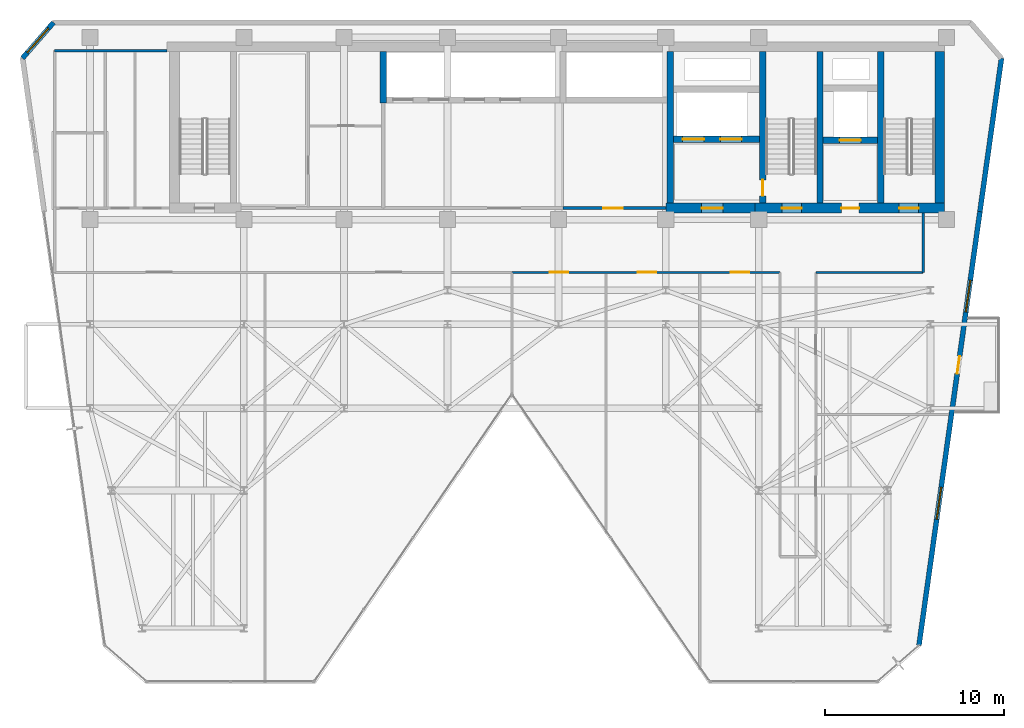
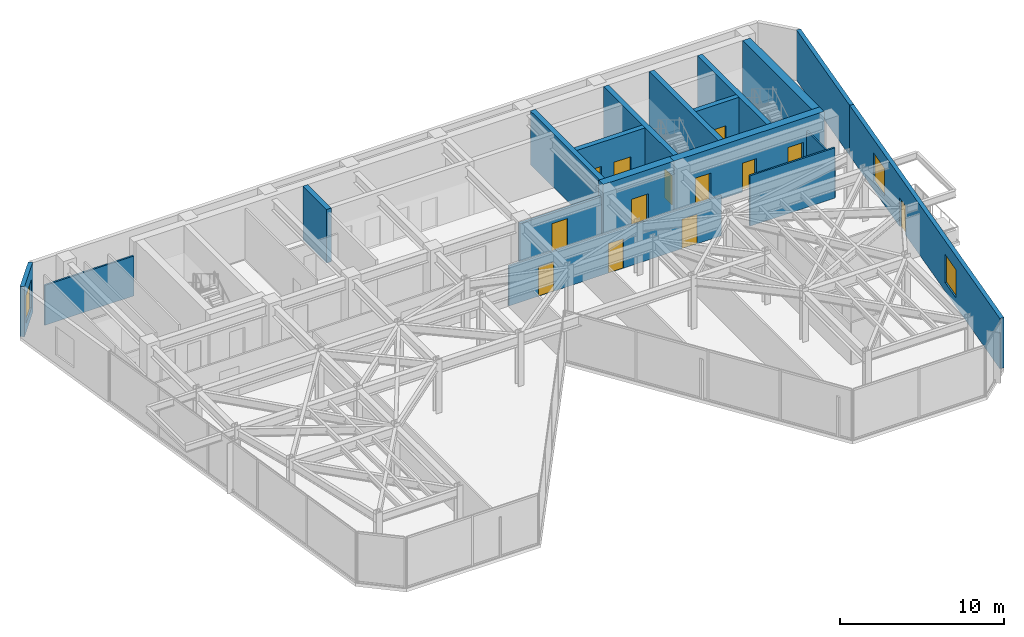
# One storey, part 23 of 27: 18 walls, 13 doors, 3 windows, 16 openings.
"""IFC4 building model written with IfcOpenShell, lengths in metres."""

from ifc_helpers import new_model, si_unit, direction, frame, frame_2d, origin, place, context, subcontext, project, spatial, rectangle, extrude, material, layer, layer_set, type_object, element, fill, save


model = new_model("IFC4")

# Units and contexts
model_context = context("Model", 3, precision=1e-05, world=origin(), true_north=direction((0.0, 1.0)))
body_context = subcontext(model_context, "Body", "Model", "MODEL_VIEW")
ifc_project = project(units=[si_unit("LENGTHUNIT", "METRE"), si_unit("AREAUNIT", "SQUARE_METRE"), si_unit("VOLUMEUNIT", "CUBIC_METRE"), si_unit("PLANEANGLEUNIT", "RADIAN"), si_unit("MASSUNIT", "GRAM", prefix="KILO")], contexts=[model_context])

# Site, building, storey
site_placement = place(None, origin())
site = spatial("IfcSite", under=ifc_project, at=site_placement, CompositionType="ELEMENT")
building_placement = place(site_placement, origin())
building = spatial("IfcBuilding", under=site, at=building_placement, Name="Kravanh Interchange Tower", CompositionType="ELEMENT")
storey_placement = place(building_placement, frame((0.0, 0.0, 196.5)))
storey = spatial("IfcBuildingStorey", under=building, at=storey_placement, Name="L47", CompositionType="ELEMENT", Elevation=196.5)

# Wall
ifc_material_1 = material(Name="Double Acoustic Gypsum Board and Mineral Wool")
ifc_layer_1 = layer(ifc_material_1, 0.1201171875)
ifc_layer_set_1 = layer_set([ifc_layer_1], Name="Acoustic Office Drywall Partition 120mm")
wall_type_1 = type_object("IfcWallType", Name="Acoustic Office Drywall Partition 120mm", PredefinedType="PARTITIONING", material=ifc_layer_set_1)
wall_1_placement = place(storey_placement, frame((16.6201171875, 46.800048828125, 0.0), z_axis=(0.0, 0.0, 1.0), x_axis=(1.0, 0.0, 0.0)))
element("IfcWall", 1, at=wall_1_placement, inside=storey, type_object=wall_type_1, Name="L47 Restroom North Enclosure 9", PredefinedType="PARTITIONING", context=body_context, shape_type="SweptSolid", body=[
    extrude(rectangle(XDim=6.27978515625, YDim=0.1201171875, at=frame_2d((3.139892578125, 0.0))), origin(), (0.0, 0.0, 1.0), 2.98193359375),
])

# Wall, openings, doors
wall_2_placement = place(storey_placement, frame((42.199951171875, 34.39990234375, 0.0), z_axis=(0.0, 0.0, 1.0), x_axis=(1.0, 0.0, 0.0)))
wall_2 = element("IfcWall", 2, at=wall_2_placement, inside=storey, type_object=wall_type_1, Name="L47 Interior Partition 14", PredefinedType="PARTITIONING", context=body_context, shape_type="SweptSolid", body=[
    extrude(rectangle(XDim=15.0, YDim=0.1201171875, at=frame_2d((7.5, 0.0))), origin(), (0.0, 0.0, 1.0), 2.98193359375),
])
opening_1_placement = place(wall_2_placement, frame((2.10009765625, 0.0, 0.0)))
opening_1 = element("IfcOpeningElement", 3, at=opening_1_placement, cuts=wall_2, Name="Opening D-105", PredefinedType="OPENING", context=body_context, shape_type="SweptSolid", body=[
    extrude(rectangle(XDim=1.050048828125, YDim=2.199951171875, at=frame_2d((0.52490234375, 1.10009765625))), frame((0.0, 0.070068359375, 0.0), z_axis=(0.0, -1.0, 0.0), x_axis=(1.0, 0.0, 0.0)), (0.0, 0.0, 1.0), 0.14013671875),
])
opening_2_placement = place(wall_2_placement, frame((7.0283203125, 0.0, 0.0)))
opening_2 = element("IfcOpeningElement", 4, at=opening_2_placement, cuts=wall_2, Name="Opening D-105", PredefinedType="OPENING", context=body_context, shape_type="SweptSolid", body=[
    extrude(rectangle(XDim=1.050048828125, YDim=2.199951171875, at=frame_2d((0.52490234375, 1.10009765625))), frame((0.0, 0.070068359375, 0.0), z_axis=(0.0, -1.0, 0.0), x_axis=(1.0, 0.0, 0.0)), (0.0, 0.0, 1.0), 0.14013671875),
])
opening_3_placement = place(wall_2_placement, frame((12.22509765625, 0.0, 0.0)))
opening_3 = element("IfcOpeningElement", 5, at=opening_3_placement, cuts=wall_2, Name="Opening D-105", PredefinedType="OPENING", context=body_context, shape_type="SweptSolid", body=[
    extrude(rectangle(XDim=1.050048828125, YDim=2.199951171875, at=frame_2d((0.52490234375, 1.10009765625))), frame((0.0, 0.070068359375, 0.0), z_axis=(0.0, -1.0, 0.0), x_axis=(1.0, 0.0, 0.0)), (0.0, 0.0, 1.0), 0.14013671875),
])
ifc_material_2 = material(Name="Acoustic Glazed Oak and Aluminium", Category="aluminium")
door_type_1 = type_object("IfcDoorType", Name="Office Workplace Door 1050x2200", OperationType="NOTDEFINED", PredefinedType="DOOR", material=ifc_material_2)
door_1_placement = place(opening_1_placement, origin())
door_1 = element("IfcDoor", 6, at=door_1_placement, inside=storey, type_object=door_type_1, Name="L47 Central Focus Study 12C Door", OperationType="SINGLE_SWING_LEFT", OverallHeight=2.199951171875, OverallWidth=1.050048828125, PredefinedType="DOOR", context=body_context, shape_type="SweptSolid", body=[
    extrude(rectangle(XDim=1.050048828125, YDim=2.199951171875, at=frame_2d((0.52490234375, 1.10009765625))), frame((0.0, 0.02490234375, 0.0), z_axis=(0.0, -1.0, 0.0), x_axis=(1.0, 0.0, 0.0)), (0.0, 0.0, 1.0), 0.050048828125),
])
fill(opening_1, door_1)
door_2_placement = place(opening_2_placement, origin())
door_2 = element("IfcDoor", 7, at=door_2_placement, inside=storey, type_object=door_type_1, Name="L47 Quiet Study 12D Door", OperationType="SINGLE_SWING_RIGHT", OverallHeight=2.199951171875, OverallWidth=1.050048828125, PredefinedType="DOOR", context=body_context, shape_type="SweptSolid", body=[
    extrude(rectangle(XDim=1.050048828125, YDim=2.199951171875, at=frame_2d((0.52490234375, 1.10009765625))), frame((0.0, 0.02490234375, 0.0), z_axis=(0.0, -1.0, 0.0), x_axis=(1.0, 0.0, 0.0)), (0.0, 0.0, 1.0), 0.050048828125),
])
fill(opening_2, door_2)
door_3_placement = place(opening_3_placement, origin())
door_3 = element("IfcDoor", 8, at=door_3_placement, inside=storey, type_object=door_type_1, Name="L47 Innovation Salon Lounge 12E Door", OperationType="SINGLE_SWING_LEFT", OverallHeight=2.199951171875, OverallWidth=1.050048828125, PredefinedType="DOOR", context=body_context, shape_type="SweptSolid", body=[
    extrude(rectangle(XDim=1.050048828125, YDim=2.199951171875, at=frame_2d((0.52490234375, 1.10009765625))), frame((0.0, 0.02490234375, 0.0), z_axis=(0.0, -1.0, 0.0), x_axis=(1.0, 0.0, 0.0)), (0.0, 0.0, 1.0), 0.050048828125),
])
fill(opening_3, door_3)

# Walls
wall_3_placement = place(storey_placement, frame((59.199951171875, 34.39990234375, 0.0), z_axis=(0.0, 0.0, 1.0), x_axis=(1.0, 0.0, 0.0)))
element("IfcWall", 9, at=wall_3_placement, inside=storey, type_object=wall_type_1, Name="L47 Interior Partition 15", PredefinedType="PARTITIONING", context=body_context, shape_type="SweptSolid", body=[
    extrude(rectangle(XDim=6.0, YDim=0.1201171875, at=frame_2d((3.0, 0.0))), origin(), (0.0, 0.0, 1.0), 3.7548828125),
])
wall_4_placement = place(storey_placement, frame((65.199951171875, 34.39990234375, 0.0), z_axis=(0.0, 0.0, 1.0), x_axis=(0.0, 1.0, 0.0)))
element("IfcWall", 10, at=wall_4_placement, inside=storey, type_object=wall_type_1, Name="L47 Interior Partition 17", PredefinedType="PARTITIONING", context=body_context, shape_type="SweptSolid", body=[
    extrude(rectangle(XDim=3.317138671875, YDim=0.1201171875, at=frame_2d((1.65869140625, 0.0))), origin(), (0.0, 0.0, 1.0), 2.98193359375),
])
ifc_material_3 = material(Name="Concrete C60/75", Category="concrete")
ifc_layer_2 = layer(ifc_material_3, 0.35009765625)
ifc_layer_set_2 = layer_set([ifc_layer_2], Name="Core Shear Wall Concrete C60/75 350mm")
wall_type_2 = type_object("IfcWallType", Name="Core Shear Wall Concrete C60/75 350mm", PredefinedType="SHEAR", material=ifc_layer_set_2)
for number, where, z_axis, x_axis, name in (
    (11, (62.824951171875, 38.27490234375, 0.0), (0.0, 0.0, 1.0), (0.0, 1.0, 0.0), "L47 Stair ST1 West Shear Wall"),
    (12, (59.425048828125, 38.27490234375, 0.0), (0.0, 0.0, 1.0), (0.0, 1.0, 0.0), "L47 Stair ST2 East Shear Wall"),
):
    element("IfcWall", number, at=place(storey_placement, frame(where, z_axis=z_axis, x_axis=x_axis)), inside=storey, type_object=wall_type_2, Name=name, PredefinedType="SHEAR", context=body_context, shape_type="SweptSolid", body=[
        extrude(rectangle(XDim=8.47509765625, YDim=0.35009765625, at=frame_2d((4.237548828125, 0.0))), origin(), (0.0, 0.0, 1.0), 4.0),
    ])

# Wall, opening, door
wall_5_placement = place(storey_placement, frame((56.22509765625, 38.27490234375, 0.0), z_axis=(0.0, 0.0, 1.0), x_axis=(0.0, 1.0, 0.0)))
wall_5 = element("IfcWall", 13, at=wall_5_placement, inside=storey, type_object=wall_type_2, Name="L47 Stair ST2 West Shear Wall", PredefinedType="SHEAR", context=body_context, shape_type="SweptSolid", body=[
    extrude(rectangle(XDim=8.47509765625, YDim=0.35009765625, at=frame_2d((4.237548828125, 0.0))), origin(), (0.0, 0.0, 1.0), 4.0),
])
opening_4_placement = place(wall_5_placement, frame((0.405029296875, 0.0, 0.0)))
opening_4 = element("IfcOpeningElement", 14, at=opening_4_placement, cuts=wall_5, Name="Opening D-STAIR-90", PredefinedType="OPENING", context=body_context, shape_type="SweptSolid", body=[
    extrude(rectangle(XDim=0.89990234375, YDim=2.14990234375, at=frame_2d((0.449951171875, 1.074951171875))), frame((0.0, 0.18505859375, 0.0), z_axis=(0.0, -1.0, 0.0), x_axis=(1.0, 0.0, 0.0)), (0.0, 0.0, 1.0), 0.3701171875),
])
ifc_material_4 = material(Name="Structural Steel S355", Category="steel")
door_type_2 = type_object("IfcDoorType", Name="Fire-Rated Stair Lobby Door 900x2150", OperationType="NOTDEFINED", PredefinedType="DOOR", material=ifc_material_4)
door_4_placement = place(opening_4_placement, origin())
door_4 = element("IfcDoor", 15, at=door_4_placement, inside=storey, type_object=door_type_2, Name="L47 Firefighting Lobby to Stair ST2 Door", OperationType="SINGLE_SWING_LEFT", OverallHeight=2.14990234375, OverallWidth=0.89990234375, PredefinedType="DOOR", context=body_context, shape_type="SweptSolid", body=[
    extrude(rectangle(XDim=0.89990234375, YDim=2.14990234375, at=frame_2d((0.449951171875, 1.074951171875))), frame((0.0, 0.02490234375, 0.0), z_axis=(0.0, -1.0, 0.0), x_axis=(1.0, 0.0, 0.0)), (0.0, 0.0, 1.0), 0.050048828125),
])
fill(opening_4, door_4)

wall_6_placement = place(storey_placement, frame((59.60009765625, 41.800048828125, 0.0), z_axis=(0.0, 0.0, 1.0), x_axis=(1.0, 0.0, 0.0)))
wall_6 = element("IfcWall", 16, at=wall_6_placement, inside=storey, type_object=wall_type_2, Name="L47 Service Lift Shaft South Wall", PredefinedType="SHEAR", context=body_context, shape_type="SweptSolid", body=[
    extrude(rectangle(XDim=3.0498046875, YDim=0.35009765625, at=frame_2d((1.52490234375, 0.0))), origin(), (0.0, 0.0, 1.0), 4.0),
])
opening_5_placement = place(wall_6_placement, frame((0.919921875, 0.0, 0.0)))
opening_5 = element("IfcOpeningElement", 17, at=opening_5_placement, cuts=wall_6, Name="Opening LD02", PredefinedType="OPENING", context=body_context, shape_type="SweptSolid", body=[
    extrude(rectangle(XDim=1.199951171875, YDim=2.199951171875, at=frame_2d((0.60009765625, 1.10009765625))), frame((0.0, 0.18505859375, 0.0), z_axis=(0.0, -1.0, 0.0), x_axis=(1.0, 0.0, 0.0)), (0.0, 0.0, 1.0), 0.3701171875),
])
ifc_material_5 = material(Name="Stainless Steel 316", Category="steel")
door_type_3 = type_object("IfcDoorType", Name="Fire and Service Lift Sliding Landing Door 1200x2200", OperationType="DOUBLE_DOOR_SLIDING", PredefinedType="DOOR", material=ifc_material_5)
door_5_placement = place(opening_5_placement, origin())
door_5 = element("IfcDoor", 18, at=door_5_placement, inside=storey, type_object=door_type_3, Name="L47 Lift LS-01 Landing Door", OperationType="DOUBLE_DOOR_SLIDING", OverallHeight=2.199951171875, OverallWidth=1.199951171875, PredefinedType="DOOR", context=body_context, shape_type="SweptSolid", body=[
    extrude(rectangle(XDim=1.199951171875, YDim=2.199951171875, at=frame_2d((0.60009765625, 1.10009765625))), frame((0.0, 0.02490234375, 0.0), z_axis=(0.0, -1.0, 0.0), x_axis=(1.0, 0.0, 0.0)), (0.0, 0.0, 1.0), 0.050048828125),
])
fill(opening_5, door_5)

# Wall, openings, doors
wall_7_placement = place(storey_placement, frame((51.22509765625, 41.85009765625, 0.0), z_axis=(0.0, 0.0, 1.0), x_axis=(1.0, 0.0, 0.0)))
wall_7 = element("IfcWall", 19, at=wall_7_placement, inside=storey, type_object=wall_type_2, Name="L47 Fire Lift Shaft South Wall", PredefinedType="SHEAR", context=body_context, shape_type="SweptSolid", body=[
    extrude(rectangle(XDim=4.824951171875, YDim=0.35009765625, at=frame_2d((2.41259765625, 0.0))), origin(), (0.0, 0.0, 1.0), 4.0),
])
opening_6_placement = place(wall_7_placement, frame((0.52490234375, 0.0, 0.0)))
opening_6 = element("IfcOpeningElement", 20, at=opening_6_placement, cuts=wall_7, Name="Opening LD02", PredefinedType="OPENING", context=body_context, shape_type="SweptSolid", body=[
    extrude(rectangle(XDim=1.199951171875, YDim=2.199951171875, at=frame_2d((0.60009765625, 1.10009765625))), frame((0.0, 0.18505859375, 0.0), z_axis=(0.0, -1.0, 0.0), x_axis=(1.0, 0.0, 0.0)), (0.0, 0.0, 1.0), 0.3701171875),
])
opening_7_placement = place(wall_7_placement, frame((2.625, 0.0, 0.0)))
opening_7 = element("IfcOpeningElement", 21, at=opening_7_placement, cuts=wall_7, Name="Opening LD02", PredefinedType="OPENING", context=body_context, shape_type="SweptSolid", body=[
    extrude(rectangle(XDim=1.199951171875, YDim=2.199951171875, at=frame_2d((0.60009765625, 1.10009765625))), frame((0.0, 0.18505859375, 0.0), z_axis=(0.0, -1.0, 0.0), x_axis=(1.0, 0.0, 0.0)), (0.0, 0.0, 1.0), 0.3701171875),
])
door_6_placement = place(opening_6_placement, origin())
door_6 = element("IfcDoor", 22, at=door_6_placement, inside=storey, type_object=door_type_3, Name="L47 Lift FSAE-01 Landing Door", OperationType="DOUBLE_DOOR_SLIDING", OverallHeight=2.199951171875, OverallWidth=1.199951171875, PredefinedType="DOOR", context=body_context, shape_type="SweptSolid", body=[
    extrude(rectangle(XDim=1.199951171875, YDim=2.199951171875, at=frame_2d((0.60009765625, 1.10009765625))), frame((0.0, 0.02490234375, 0.0), z_axis=(0.0, -1.0, 0.0), x_axis=(1.0, 0.0, 0.0)), (0.0, 0.0, 1.0), 0.050048828125),
])
fill(opening_6, door_6)
door_7_placement = place(opening_7_placement, origin())
door_7 = element("IfcDoor", 23, at=door_7_placement, inside=storey, type_object=door_type_3, Name="L47 Lift FSAE-02 Landing Door", OperationType="DOUBLE_DOOR_SLIDING", OverallHeight=2.199951171875, OverallWidth=1.199951171875, PredefinedType="DOOR", context=body_context, shape_type="SweptSolid", body=[
    extrude(rectangle(XDim=1.199951171875, YDim=2.199951171875, at=frame_2d((0.60009765625, 1.10009765625))), frame((0.0, 0.02490234375, 0.0), z_axis=(0.0, -1.0, 0.0), x_axis=(1.0, 0.0, 0.0)), (0.0, 0.0, 1.0), 0.050048828125),
])
fill(opening_7, door_7)

# Walls
wall_8_placement = place(storey_placement, frame((51.050048828125, 38.27490234375, 0.0), z_axis=(0.0, 0.0, 1.0), x_axis=(0.0, 1.0, 0.0)))
element("IfcWall", 24, at=wall_8_placement, inside=storey, type_object=wall_type_2, Name="L47 Firefighting Lobby West Wall", PredefinedType="SHEAR", context=body_context, shape_type="SweptSolid", body=[
    extrude(rectangle(XDim=8.47509765625, YDim=0.35009765625, at=frame_2d((4.237548828125, 0.0))), origin(), (0.0, 0.0, 1.0), 4.0),
])
wall_9_placement = place(storey_placement, frame((35.0, 43.875, 0.0), z_axis=(0.0, 0.0, 1.0), x_axis=(0.0, 1.0, 0.0)))
element("IfcWall", 25, at=wall_9_placement, inside=storey, type_object=wall_type_2, Name="L47 Mid-Rise Lift Shaft West Wall", PredefinedType="SHEAR", context=body_context, shape_type="SweptSolid", body=[
    extrude(rectangle(XDim=2.875, YDim=0.35009765625, at=frame_2d((1.4375, 0.0))), origin(), (0.0, 0.0, 1.0), 4.0),
])

# Wall, openings, doors
ifc_material_6 = material(Name="Concrete C70/85", Category="concrete")
ifc_layer_3 = layer(ifc_material_6, 0.550048828125)
ifc_layer_set_3 = layer_set([ifc_layer_3], Name="Core Shear Wall Concrete C70/85 550mm")
wall_type_3 = type_object("IfcWallType", Name="Core Shear Wall Concrete C70/85 550mm", PredefinedType="SHEAR", material=ifc_layer_set_3)
wall_10_placement = place(storey_placement, frame((55.800048828125, 38.0, 0.0), z_axis=(0.0, 0.0, 1.0), x_axis=(1.0, 0.0, 0.0)))
wall_10 = element("IfcWall", 26, at=wall_10_placement, inside=storey, type_object=wall_type_3, Name="L47 East Core South Shear Wall", PredefinedType="SHEAR", context=body_context, shape_type="SweptSolid", body=[
    extrude(rectangle(XDim=10.599853515625, YDim=0.550048828125, at=frame_2d((5.2998046875, 0.0))), origin(), (0.0, 0.0, 1.0), 4.0),
])
opening_8_placement = place(wall_10_placement, frame((1.5, 0.0, 0.0)))
opening_8 = element("IfcOpeningElement", 27, at=opening_8_placement, cuts=wall_10, Name="Opening D-STAIR-110", PredefinedType="OPENING", context=body_context, shape_type="SweptSolid", body=[
    extrude(rectangle(XDim=1.10009765625, YDim=2.199951171875, at=frame_2d((0.550048828125, 1.10009765625))), frame((0.0, 0.28515625, 0.0), z_axis=(0.0, -1.0, 0.0), x_axis=(1.0, 0.0, 0.0)), (0.0, 0.0, 1.0), 0.570068359375),
])
opening_9_placement = place(wall_10_placement, frame((4.820068359375, 0.0, 0.0)))
opening_9 = element("IfcOpeningElement", 28, at=opening_9_placement, cuts=wall_10, Name="Opening D-HOTEL-100", PredefinedType="OPENING", context=body_context, shape_type="SweptSolid", body=[
    extrude(rectangle(XDim=1.0, YDim=2.14990234375, at=frame_2d((0.5, 1.074951171875))), frame((0.0, 0.28515625, 0.0), z_axis=(0.0, -1.0, 0.0), x_axis=(1.0, 0.0, 0.0)), (0.0, 0.0, 1.0), 0.570068359375),
])
opening_10_placement = place(wall_10_placement, frame((8.050048828125, 0.0, 0.0)))
opening_10 = element("IfcOpeningElement", 29, at=opening_10_placement, cuts=wall_10, Name="Opening D-STAIR-110", PredefinedType="OPENING", context=body_context, shape_type="SweptSolid", body=[
    extrude(rectangle(XDim=1.10009765625, YDim=2.199951171875, at=frame_2d((0.550048828125, 1.10009765625))), frame((0.0, 0.28515625, 0.0), z_axis=(0.0, -1.0, 0.0), x_axis=(1.0, 0.0, 0.0)), (0.0, 0.0, 1.0), 0.570068359375),
])
ifc_material_7 = material(Name="Structural Steel S355", Category="steel")
door_type_4 = type_object("IfcDoorType", Name="Fire-Rated Exit Stair Door 1100x2200", OperationType="NOTDEFINED", PredefinedType="DOOR", material=ifc_material_7)
door_8_placement = place(opening_8_placement, origin())
door_8 = element("IfcDoor", 30, at=door_8_placement, inside=storey, type_object=door_type_4, Name="L47 Exit Stair ST2 Door", OperationType="SINGLE_SWING_RIGHT", OverallHeight=2.199951171875, OverallWidth=1.10009765625, PredefinedType="DOOR", context=body_context, shape_type="SweptSolid", body=[
    extrude(rectangle(XDim=1.10009765625, YDim=2.199951171875, at=frame_2d((0.550048828125, 1.10009765625))), frame((0.0, 0.02490234375, 0.0), z_axis=(0.0, -1.0, 0.0), x_axis=(1.0, 0.0, 0.0)), (0.0, 0.0, 1.0), 0.050048828125),
])
fill(opening_8, door_8)
door_9_placement = place(opening_10_placement, origin())
door_9 = element("IfcDoor", 31, at=door_9_placement, inside=storey, type_object=door_type_4, Name="L47 Exit Stair ST1 Door", OperationType="SINGLE_SWING_RIGHT", OverallHeight=2.199951171875, OverallWidth=1.10009765625, PredefinedType="DOOR", context=body_context, shape_type="SweptSolid", body=[
    extrude(rectangle(XDim=1.10009765625, YDim=2.199951171875, at=frame_2d((0.550048828125, 1.10009765625))), frame((0.0, 0.02490234375, 0.0), z_axis=(0.0, -1.0, 0.0), x_axis=(1.0, 0.0, 0.0)), (0.0, 0.0, 1.0), 0.050048828125),
])
fill(opening_10, door_9)
ifc_material_8 = material(Name="Fire-Rated Solid Timber Leaf", Category="wood")
door_type_5 = type_object("IfcDoorType", Name="Fire-Rated Suite Entrance Door 1000x2150", OperationType="NOTDEFINED", PredefinedType="DOOR", material=ifc_material_8)
door_10_placement = place(opening_9_placement, origin())
door_10 = element("IfcDoor", 32, at=door_10_placement, inside=storey, type_object=door_type_5, Name="L47 Service Lift Lobby Door", OperationType="SINGLE_SWING_RIGHT", OverallHeight=2.14990234375, OverallWidth=1.0, PredefinedType="DOOR", context=body_context, shape_type="SweptSolid", body=[
    extrude(rectangle(XDim=1.0, YDim=2.14990234375, at=frame_2d((0.5, 1.074951171875))), frame((0.0, 0.02490234375, 0.0), z_axis=(0.0, -1.0, 0.0), x_axis=(1.0, 0.0, 0.0)), (0.0, 0.0, 1.0), 0.050048828125),
])
fill(opening_9, door_10)

# Wall
wall_11_placement = place(storey_placement, frame((66.125, 38.27490234375, 0.0), z_axis=(0.0, 0.0, 1.0), x_axis=(0.0, 1.0, 0.0)))
element("IfcWall", 33, at=wall_11_placement, inside=storey, type_object=wall_type_3, Name="L47 Stair ST1 East Shear Wall", PredefinedType="SHEAR", context=body_context, shape_type="SweptSolid", body=[
    extrude(rectangle(XDim=8.47509765625, YDim=0.550048828125, at=frame_2d((4.237548828125, 0.0))), origin(), (0.0, 0.0, 1.0), 4.0),
])

# Wall, opening, door
wall_12_placement = place(storey_placement, frame((50.800048828125, 38.0, 0.0), z_axis=(0.0, 0.0, 1.0), x_axis=(1.0, 0.0, 0.0)))
wall_12 = element("IfcWall", 34, at=wall_12_placement, inside=storey, type_object=wall_type_3, Name="L47 Firefighting Lobby South Shear Wall", PredefinedType="SHEAR", context=body_context, shape_type="SweptSolid", body=[
    extrude(rectangle(XDim=5.0, YDim=0.550048828125, at=frame_2d((2.5, 0.0))), origin(), (0.0, 0.0, 1.0), 4.0),
])
opening_11_placement = place(wall_12_placement, frame((2.0, 0.0, 0.0)))
opening_11 = element("IfcOpeningElement", 35, at=opening_11_placement, cuts=wall_12, Name="Opening D-FSAE-120", PredefinedType="OPENING", context=body_context, shape_type="SweptSolid", body=[
    extrude(rectangle(XDim=1.199951171875, YDim=2.199951171875, at=frame_2d((0.60009765625, 1.10009765625))), frame((0.0, 0.28515625, 0.0), z_axis=(0.0, -1.0, 0.0), x_axis=(1.0, 0.0, 0.0)), (0.0, 0.0, 1.0), 0.570068359375),
])
ifc_material_9 = material(Name="Structural Steel S355", Category="steel")
door_type_6 = type_object("IfcDoorType", Name="Fire-Rated Refuge and FSAE Door 1200x2200", OperationType="NOTDEFINED", PredefinedType="DOOR", material=ifc_material_9)
door_11_placement = place(opening_11_placement, origin())
door_11 = element("IfcDoor", 36, at=door_11_placement, inside=storey, type_object=door_type_6, Name="L47 Firefighting Lobby Corridor Door", OperationType="SINGLE_SWING_RIGHT", OverallHeight=2.199951171875, OverallWidth=1.199951171875, PredefinedType="DOOR", context=body_context, shape_type="SweptSolid", body=[
    extrude(rectangle(XDim=1.199951171875, YDim=2.199951171875, at=frame_2d((0.60009765625, 1.10009765625))), frame((0.0, 0.02490234375, 0.0), z_axis=(0.0, -1.0, 0.0), x_axis=(1.0, 0.0, 0.0)), (0.0, 0.0, 1.0), 0.050048828125),
])
fill(opening_11, door_11)

# Wall, opening, window
ifc_material_10 = material(Name="Insulated Precast Concrete C40/50 with Bronze Cladding", Category="concrete")
ifc_layer_4 = layer(ifc_material_10, 0.280029296875)
ifc_layer_set_4 = layer_set([ifc_layer_4], Name="Exterior Insulated Concrete C40/50 Bronze Spandrel Wall 280mm")
wall_type_4 = type_object("IfcWallType", Name="Exterior Insulated Concrete C40/50 Bronze Spandrel Wall 280mm", PredefinedType="STANDARD", material=ifc_layer_set_4)
wall_13_placement = place(storey_placement, frame((14.818603515625, 46.3828125, 0.0), z_axis=(0.0, 0.0, 1.0), x_axis=(0.656071351282, 0.754698868442, 0.0)))
wall_13 = element("IfcWall", 37, at=wall_13_placement, inside=storey, type_object=wall_type_4, Name="L47 Exterior Wall 2", PredefinedType="STANDARD", context=body_context, shape_type="SweptSolid", body=[
    extrude(rectangle(XDim=2.646240234375, YDim=0.280029296875, at=frame_2d((1.3232421875, 0.0))), origin(), (0.0, 0.0, 1.0), 3.7548828125),
])
opening_12_placement = place(wall_13_placement, frame((0.41552734375, 0.0, 0.64990234375)))
opening_12 = element("IfcOpeningElement", 38, at=opening_12_placement, cuts=wall_13, Name="Opening WN-180X210", PredefinedType="OPENING", context=body_context, shape_type="SweptSolid", body=[
    extrude(rectangle(XDim=1.800048828125, YDim=2.10009765625, at=frame_2d((0.89990234375, 1.050048828125))), frame((0.0, 0.14990234375, 0.0), z_axis=(0.0, -1.0, 0.0), x_axis=(1.0, 0.0, 0.0)), (0.0, 0.0, 1.0), 0.300048828125),
])
ifc_material_11 = material(Name="Thermally Broken Bronze Aluminium and Low-E Glass", Category="aluminium")
window_type = type_object("IfcWindowType", Name="Tower Pier Window 1800x2100", PartitioningType="SINGLE_PANEL", PredefinedType="WINDOW", material=ifc_material_11)
window_1_placement = place(opening_12_placement, origin())
window_1 = element("IfcWindow", 39, at=window_1_placement, inside=storey, type_object=window_type, Name="L47 Corner Window 2", OverallHeight=2.10009765625, OverallWidth=1.800048828125, PartitioningType="SINGLE_PANEL", PredefinedType="WINDOW", context=body_context, shape_type="SweptSolid", body=[
    extrude(rectangle(XDim=1.800048828125, YDim=2.10009765625, at=frame_2d((0.89990234375, 1.050048828125))), frame((0.0, 0.030029296875, 0.0), z_axis=(0.0, -1.0, 0.0), x_axis=(1.0, 0.0, 0.0)), (0.0, 0.0, 1.0), 0.06005859375),
])
fill(opening_12, window_1)

# Wall
wall_14_placement = place(storey_placement, frame((69.581298828125, 46.3828125, 0.0), z_axis=(0.0, 0.0, 1.0), x_axis=(-0.13918102754, -0.990266954701, 0.0)))
element("IfcWall", 40, at=wall_14_placement, inside=storey, type_object=wall_type_4, Name="L47 Exterior Wall 5", PredefinedType="STANDARD", context=body_context, shape_type="SweptSolid", body=[
    extrude(rectangle(XDim=8.667236328125, YDim=0.280029296875, at=frame_2d((4.33349609375, 0.0))), origin(), (0.0, 0.0, 1.0), 3.7548828125),
])

# Wall, openings, door, windows
wall_15_placement = place(storey_placement, frame((68.375, 37.800048828125, 0.0), z_axis=(0.0, 0.0, 1.0), x_axis=(-0.139173290738, -0.99026804207, 0.0)))
wall_15 = element("IfcWall", 41, at=wall_15_placement, inside=storey, type_object=wall_type_4, Name="L47 Exterior Wall 6", PredefinedType="STANDARD", context=body_context, shape_type="SweptSolid", body=[
    extrude(rectangle(XDim=24.497802734375, YDim=0.280029296875, at=frame_2d((12.2490234375, 0.0))), origin(), (0.0, 0.0, 1.0), 3.7548828125),
])
opening_13_placement = place(wall_15_placement, frame((8.157470703125, 0.0, 0.0)))
opening_13 = element("IfcOpeningElement", 42, at=opening_13_placement, cuts=wall_15, Name="Opening ED-BAL100", PredefinedType="OPENING", context=body_context, shape_type="SweptSolid", body=[
    extrude(rectangle(XDim=1.0, YDim=2.14990234375, at=frame_2d((0.5, 1.074951171875))), frame((0.0, 0.14990234375, 0.0), z_axis=(0.0, -1.0, 0.0), x_axis=(1.0, 0.0, 0.0)), (0.0, 0.0, 1.0), 0.300048828125),
])
opening_14_placement = place(wall_15_placement, frame((3.869140625, 0.0, 0.64990234375)))
opening_14 = element("IfcOpeningElement", 43, at=opening_14_placement, cuts=wall_15, Name="Opening WN-180X210", PredefinedType="OPENING", context=body_context, shape_type="SweptSolid", body=[
    extrude(rectangle(XDim=1.800048828125, YDim=2.10009765625, at=frame_2d((0.89990234375, 1.050048828125))), frame((0.0, 0.14990234375, 0.0), z_axis=(0.0, -1.0, 0.0), x_axis=(1.0, 0.0, 0.0)), (0.0, 0.0, 1.0), 0.300048828125),
])
opening_15_placement = place(wall_15_placement, frame((15.5712890625, 0.0, 0.64990234375)))
opening_15 = element("IfcOpeningElement", 44, at=opening_15_placement, cuts=wall_15, Name="Opening WN-180X210", PredefinedType="OPENING", context=body_context, shape_type="SweptSolid", body=[
    extrude(rectangle(XDim=1.800048828125, YDim=2.10009765625, at=frame_2d((0.89990234375, 1.050048828125))), frame((0.0, 0.14990234375, 0.0), z_axis=(0.0, -1.0, 0.0), x_axis=(1.0, 0.0, 0.0)), (0.0, 0.0, 1.0), 0.300048828125),
])
ifc_material_12 = material(Name="Thermally Broken Bronze Aluminium and Laminated Glass", Category="aluminium")
door_type_7 = type_object("IfcDoorType", Name="Balcony Glazed Door 1000x2150", OperationType="NOTDEFINED", PredefinedType="DOOR", material=ifc_material_12)
door_12_placement = place(opening_13_placement, origin())
door_12 = element("IfcDoor", 45, at=door_12_placement, inside=storey, type_object=door_type_7, Name="L47 E Tree Balcony Access Door", OperationType="SINGLE_SWING_LEFT", OverallHeight=2.14990234375, OverallWidth=1.0, PredefinedType="DOOR", context=body_context, shape_type="SweptSolid", body=[
    extrude(rectangle(XDim=1.0, YDim=2.14990234375, at=frame_2d((0.5, 1.074951171875))), frame((0.0, 0.02490234375, 0.0), z_axis=(0.0, -1.0, 0.0), x_axis=(1.0, 0.0, 0.0)), (0.0, 0.0, 1.0), 0.050048828125),
])
fill(opening_13, door_12)
window_2_placement = place(opening_14_placement, origin())
window_2 = element("IfcWindow", 46, at=window_2_placement, inside=storey, type_object=window_type, Name="L47 Facade Window 6A", OverallHeight=2.10009765625, OverallWidth=1.800048828125, PartitioningType="SINGLE_PANEL", PredefinedType="WINDOW", context=body_context, shape_type="SweptSolid", body=[
    extrude(rectangle(XDim=1.800048828125, YDim=2.10009765625, at=frame_2d((0.89990234375, 1.050048828125))), frame((0.0, 0.030029296875, 0.0), z_axis=(0.0, -1.0, 0.0), x_axis=(1.0, 0.0, 0.0)), (0.0, 0.0, 1.0), 0.06005859375),
])
fill(opening_14, window_2)
window_3_placement = place(opening_15_placement, origin())
window_3 = element("IfcWindow", 47, at=window_3_placement, inside=storey, type_object=window_type, Name="L47 Facade Window 6B", OverallHeight=2.10009765625, OverallWidth=1.800048828125, PartitioningType="SINGLE_PANEL", PredefinedType="WINDOW", context=body_context, shape_type="SweptSolid", body=[
    extrude(rectangle(XDim=1.800048828125, YDim=2.10009765625, at=frame_2d((0.89990234375, 1.050048828125))), frame((0.0, 0.030029296875, 0.0), z_axis=(0.0, -1.0, 0.0), x_axis=(1.0, 0.0, 0.0)), (0.0, 0.0, 1.0), 0.06005859375),
])
fill(opening_15, window_3)

# Wall, opening, door
ifc_material_13 = material(Name="Autoclaved Aerated Concrete C30/37 Blockwork", Category="masonry")
ifc_layer_5 = layer(ifc_material_13, 0.179931640625)
ifc_layer_set_5 = layer_set([ifc_layer_5], Name="Fire-Rated Lobby and Corridor Wall Concrete C30/37 180mm")
wall_type_5 = type_object("IfcWallType", Name="Fire-Rated Lobby and Corridor Wall Concrete C30/37 180mm", PredefinedType="STANDARD", material=ifc_layer_set_5)
wall_16_placement = place(storey_placement, frame((45.050048828125, 38.0, 0.0), z_axis=(0.0, 0.0, 1.0), x_axis=(1.0, 0.0, 0.0)))
wall_16 = element("IfcWall", 48, at=wall_16_placement, inside=storey, type_object=wall_type_5, Name="L47 Core South Enclosure 1", PredefinedType="STANDARD", context=body_context, shape_type="SweptSolid", body=[
    extrude(rectangle(XDim=5.75, YDim=0.179931640625, at=frame_2d((2.875, 0.0))), origin(), (0.0, 0.0, 1.0), 2.98193359375),
])
opening_16_placement = place(wall_16_placement, frame((2.240478515625, 0.0, 0.0)))
opening_16 = element("IfcOpeningElement", 49, at=opening_16_placement, cuts=wall_16, Name="Opening D-SHAFT-110", PredefinedType="OPENING", context=body_context, shape_type="SweptSolid", body=[
    extrude(rectangle(XDim=1.10009765625, YDim=2.199951171875, at=frame_2d((0.550048828125, 1.10009765625))), frame((0.0, 0.10009765625, 0.0), z_axis=(0.0, -1.0, 0.0), x_axis=(1.0, 0.0, 0.0)), (0.0, 0.0, 1.0), 0.199951171875),
])
ifc_material_14 = material(Name="Fire-Rated Composite Timber Leaf", Category="wood")
door_type_8 = type_object("IfcDoorType", Name="Fire-Rated Core Support Door 1100x2200", OperationType="NOTDEFINED", PredefinedType="DOOR", material=ifc_material_14)
door_13_placement = place(opening_16_placement, origin())
door_13 = element("IfcDoor", 50, at=door_13_placement, inside=storey, type_object=door_type_8, Name="L47 Core AHU Fan Room Door", OperationType="SINGLE_SWING_RIGHT", OverallHeight=2.199951171875, OverallWidth=1.10009765625, PredefinedType="DOOR", context=body_context, shape_type="SweptSolid", body=[
    extrude(rectangle(XDim=1.10009765625, YDim=2.199951171875, at=frame_2d((0.550048828125, 1.10009765625))), frame((0.0, 0.02490234375, 0.0), z_axis=(0.0, -1.0, 0.0), x_axis=(1.0, 0.0, 0.0)), (0.0, 0.0, 1.0), 0.050048828125),
])
fill(opening_16, door_13)

save(model, "model.ifc")
